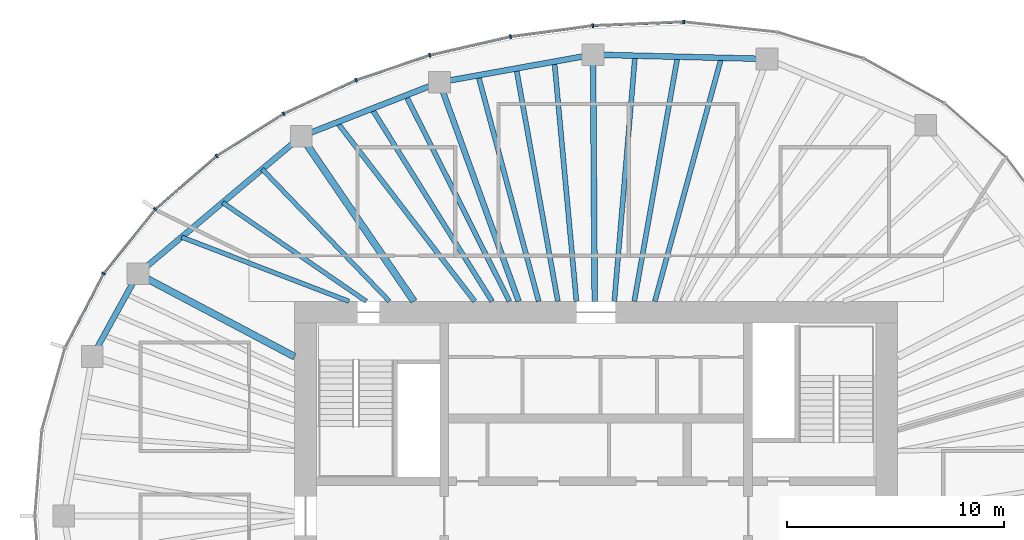
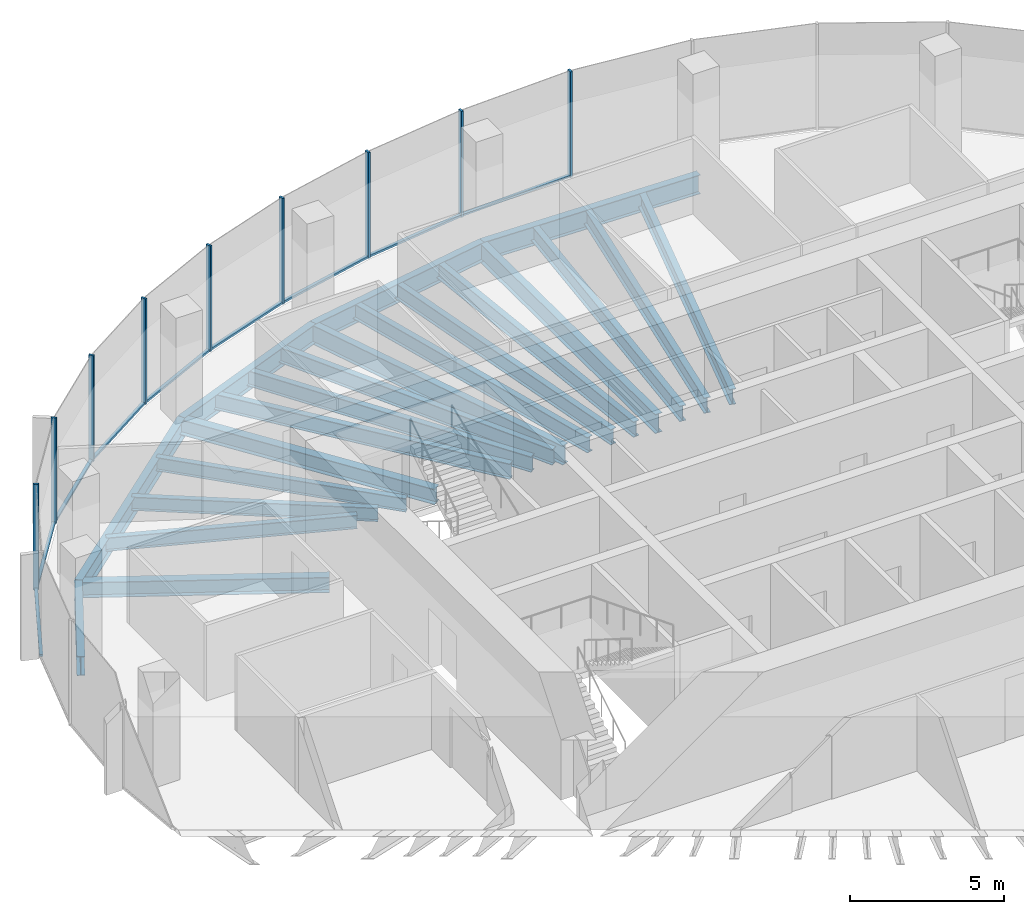
# One storey, part 5 of 11: 21 beams, 18 members, 5 elements without a shape of their own.
"""IFC4 building model written with IfcOpenShell, lengths in metres."""

from ifc_helpers import new_model, si_unit, direction, frame, origin, origin_2d, place, context, subcontext, project, spatial, rectangle, i_section, extrude, material, material_profile, profile_set, type_object, element, aggregate, save


model = new_model("IFC4")

# Units and contexts
model_context = context("Model", 3, precision=1e-05, world=origin(), true_north=direction((0.0, 1.0)))
body_context = subcontext(model_context, "Body", "Model", "MODEL_VIEW")
ifc_project = project(units=[si_unit("LENGTHUNIT", "METRE"), si_unit("AREAUNIT", "SQUARE_METRE"), si_unit("VOLUMEUNIT", "CUBIC_METRE"), si_unit("PLANEANGLEUNIT", "RADIAN"), si_unit("MASSUNIT", "GRAM", prefix="KILO")], contexts=[model_context])

# Site, building, storey
site_placement = place(None, origin())
site = spatial("IfcSite", under=ifc_project, at=site_placement, CompositionType="ELEMENT")
building_placement = place(site_placement, origin())
building = spatial("IfcBuilding", under=site, at=building_placement, Name="Ghaith Harvest Tower", CompositionType="ELEMENT")
storey_placement = place(building_placement, frame((0.0, 0.0, 309.0)))
storey = spatial("IfcBuildingStorey", under=building, at=storey_placement, Name="L69", CompositionType="ELEMENT", Elevation=309.0)

# Curtain wall, member
ifc_material_1 = material(Name="Black anodised aluminium and fritted glass", Category="aluminium")
curtain_wall_type = type_object("IfcCurtainWallType", Name="CW-T CURTAIN WALL", PredefinedType="NOTDEFINED", material=ifc_material_1)
curtain_wall_1_placement = place(storey_placement, origin())
curtain_wall_1 = element("IfcCurtainWall", 1, at=curtain_wall_1_placement, inside=storey, type_object=curtain_wall_type, Name="Curtain wall CW-T bay 05 L69", PredefinedType="NOTDEFINED")
ifc_material_2 = material(Name="Aluminium, black anodised", Category="aluminium")
ifc_material_profile_1 = material_profile(ifc_material_2, rectangle(XDim=0.080078125, YDim=0.179931640625, at=origin_2d()), Name="CW-T MULLION 80x180")
ifc_profile_set_1 = profile_set([ifc_material_profile_1], Name="Aluminium, black anodised")
member_type_1 = type_object("IfcMemberType", Name="CW-T MULLION 80x180", PredefinedType="MULLION", material=ifc_profile_set_1)
member_1_placement = place(storey_placement, frame((4.037841796875, 22.776611328125, 0.0), z_axis=(0.0, 0.0, 1.0), x_axis=(-0.999388631236, 0.034962319079, 0.0)))
member_1 = element("IfcMember", 2, at=member_1_placement, type_object=member_type_1, Name="CW-T mullion 2 bay 05 L69", PredefinedType="MULLION", context=body_context, shape_type="SweptSolid", body=[
    extrude(rectangle(XDim=0.080078125, YDim=0.179931640625, at=origin_2d()), origin(), (0.0, 0.0, 1.0), 4.199951171875),
])

# Curtain wall, members
curtain_wall_2_placement = place(storey_placement, origin())
curtain_wall_2 = element("IfcCurtainWall", 3, at=curtain_wall_2_placement, inside=storey, type_object=curtain_wall_type, Name="Curtain wall CW-T bay 06 L69", PredefinedType="NOTDEFINED")
member_2_placement = place(storey_placement, frame((-0.15478515625, 22.60595703125, 0.0), z_axis=(0.0, 0.0, 1.0), x_axis=(-0.996414855482, -0.084601629853, 0.0)))
member_2 = element("IfcMember", 4, at=member_2_placement, type_object=member_type_1, Name="CW-T mullion 1 bay 06 L69", PredefinedType="MULLION", context=body_context, shape_type="SweptSolid", body=[
    extrude(rectangle(XDim=0.080078125, YDim=0.179931640625, at=origin_2d()), origin(), (0.0, 0.0, 1.0), 4.199951171875),
])
member_3_placement = place(storey_placement, frame((-3.946533203125, 22.0986328125, 0.0), z_axis=(0.0, 0.0, 1.0), x_axis=(-0.983843447681, -0.179030920389, 0.0)))
member_3 = element("IfcMember", 5, at=member_3_placement, type_object=member_type_1, Name="CW-T mullion 2 bay 06 L69", PredefinedType="MULLION", context=body_context, shape_type="SweptSolid", body=[
    extrude(rectangle(XDim=0.080078125, YDim=0.179931640625, at=origin_2d()), origin(), (0.0, 0.0, 1.0), 4.199951171875),
])

curtain_wall_3_placement = place(storey_placement, origin())
curtain_wall_3 = element("IfcCurtainWall", 6, at=curtain_wall_3_placement, inside=storey, type_object=curtain_wall_type, Name="Curtain wall CW-T bay 07 L69", PredefinedType="NOTDEFINED")
member_4_placement = place(storey_placement, frame((-7.6708984375, 21.23828125, 0.0), z_axis=(0.0, 0.0, 1.0), x_axis=(-0.962552491436, -0.27109537294, 0.0)))
member_4 = element("IfcMember", 7, at=member_4_placement, type_object=member_type_1, Name="CW-T mullion 1 bay 07 L69", PredefinedType="MULLION", context=body_context, shape_type="SweptSolid", body=[
    extrude(rectangle(XDim=0.080078125, YDim=0.179931640625, at=origin_2d()), origin(), (0.0, 0.0, 1.0), 4.199951171875),
])
member_5_placement = place(storey_placement, frame((-11.0673828125, 20.093017578125, 0.0), z_axis=(0.0, 0.0, 1.0), x_axis=(-0.928624420706, -0.371021138573, 0.0)))
member_5 = element("IfcMember", 8, at=member_5_placement, type_object=member_type_1, Name="CW-T mullion 2 bay 07 L69", PredefinedType="MULLION", context=body_context, shape_type="SweptSolid", body=[
    extrude(rectangle(XDim=0.080078125, YDim=0.179931640625, at=origin_2d()), origin(), (0.0, 0.0, 1.0), 4.199951171875),
])

curtain_wall_4_placement = place(storey_placement, origin())
curtain_wall_4 = element("IfcCurtainWall", 9, at=curtain_wall_4_placement, inside=storey, type_object=curtain_wall_type, Name="Curtain wall CW-T bay 08 L69", PredefinedType="NOTDEFINED")
member_6_placement = place(storey_placement, frame((-14.40478515625, 18.5478515625, 0.0), z_axis=(0.0, 0.0, 1.0), x_axis=(-0.87867173244, -0.477426420101, 0.0)))
member_6 = element("IfcMember", 10, at=member_6_placement, type_object=member_type_1, Name="CW-T mullion 1 bay 08 L69", PredefinedType="MULLION", context=body_context, shape_type="SweptSolid", body=[
    extrude(rectangle(XDim=0.080078125, YDim=0.179931640625, at=origin_2d()), origin(), (0.0, 0.0, 1.0), 4.199951171875),
])
member_7_placement = place(storey_placement, frame((-17.49462890625, 16.600830078125, 0.0), z_axis=(0.0, 0.0, 1.0), x_axis=(-0.802189888678, -0.597068993084, 0.0)))
member_7 = element("IfcMember", 11, at=member_7_placement, type_object=member_type_1, Name="CW-T mullion 2 bay 08 L69", PredefinedType="MULLION", context=body_context, shape_type="SweptSolid", body=[
    extrude(rectangle(XDim=0.080078125, YDim=0.179931640625, at=origin_2d()), origin(), (0.0, 0.0, 1.0), 4.199951171875),
])

curtain_wall_5_placement = place(storey_placement, origin())
curtain_wall_5 = element("IfcCurtainWall", 12, at=curtain_wall_5_placement, inside=storey, type_object=curtain_wall_type, Name="Curtain wall CW-T bay 09 L69", PredefinedType="NOTDEFINED")
member_8_placement = place(storey_placement, frame((-20.324462890625, 14.141845703125, 0.0), z_axis=(0.0, 0.0, 1.0), x_axis=(-0.692826491995, -0.72110432809, 0.0)))
member_8 = element("IfcMember", 13, at=member_8_placement, type_object=member_type_1, Name="CW-T mullion 1 bay 09 L69", PredefinedType="MULLION", context=body_context, shape_type="SweptSolid", body=[
    extrude(rectangle(XDim=0.080078125, YDim=0.179931640625, at=origin_2d()), origin(), (0.0, 0.0, 1.0), 4.199951171875),
])
member_9_placement = place(storey_placement, frame((-22.706298828125, 11.176513671875, 0.0), z_axis=(0.0, 0.0, 1.0), x_axis=(-0.545865412621, -0.837872872997, 0.0)))
member_9 = element("IfcMember", 14, at=member_9_placement, type_object=member_type_1, Name="CW-T mullion 2 bay 09 L69", PredefinedType="MULLION", context=body_context, shape_type="SweptSolid", body=[
    extrude(rectangle(XDim=0.080078125, YDim=0.179931640625, at=origin_2d()), origin(), (0.0, 0.0, 1.0), 4.199951171875),
])

# Member
ifc_material_3 = material(Name="Aluminium, black anodised", Category="aluminium")
ifc_material_profile_2 = material_profile(ifc_material_3, rectangle(XDim=0.1201171875, YDim=0.080078125, at=origin_2d()), Name="CW-T TRANSOM 120x80")
ifc_profile_set_2 = profile_set([ifc_material_profile_2], Name="Aluminium, black anodised")
member_type_2 = type_object("IfcMemberType", Name="CW-T TRANSOM 120x80", PredefinedType="USERDEFINED", material=ifc_profile_set_2)
member_10_placement = place(storey_placement, frame((3.997802734375, 22.77490234375, 0.0400390625), z_axis=(-0.999174207562, -0.040631304968, 0.0), x_axis=(0.040631304968, -0.999174207562, 0.0)))
member_10 = element("IfcMember", 15, at=member_10_placement, type_object=member_type_2, Name="CW-T transom 2 bay 05 L69", ObjectType="TRANSOM", PredefinedType="USERDEFINED", context=body_context, shape_type="SweptSolid", body=[
    extrude(rectangle(XDim=0.1201171875, YDim=0.080078125, at=origin_2d()), origin(), (0.0, 0.0, 1.0), 4.115966796875),
])

aggregate(curtain_wall_1, [member_1, member_10])

member_11_placement = place(storey_placement, frame((-0.1943359375, 22.6005859375, 0.0400390625), z_axis=(-0.99117202259, -0.132582131655, 0.0), x_axis=(0.132582131655, -0.99117202259, 0.0)))
member_11 = element("IfcMember", 16, at=member_11_placement, type_object=member_type_2, Name="CW-T transom 1 bay 06 L69", ObjectType="TRANSOM", PredefinedType="USERDEFINED", context=body_context, shape_type="SweptSolid", body=[
    extrude(rectangle(XDim=0.1201171875, YDim=0.080078125, at=origin_2d()), origin(), (0.0, 0.0, 1.0), 3.745361328125),
])

member_12_placement = place(storey_placement, frame((-3.9853515625, 22.089599609375, 0.0400390625), z_axis=(-0.974344997799, -0.225059603803, 0.0), x_axis=(0.225059603803, -0.974344997799, 0.0)))
member_12 = element("IfcMember", 17, at=member_12_placement, type_object=member_type_2, Name="CW-T transom 2 bay 06 L69", ObjectType="TRANSOM", PredefinedType="USERDEFINED", context=body_context, shape_type="SweptSolid", body=[
    extrude(rectangle(XDim=0.1201171875, YDim=0.080078125, at=origin_2d()), origin(), (0.0, 0.0, 1.0), 3.742431640625),
])

aggregate(curtain_wall_2, [member_2, member_11, member_3, member_12])

member_13_placement = place(storey_placement, frame((-7.708740234375, 21.2255859375, 0.0400390625), z_axis=(-0.9475698206, -0.319548799228, 0.0), x_axis=(0.319548799228, -0.9475698206, 0.0)))
member_13 = element("IfcMember", 18, at=member_13_placement, type_object=member_type_2, Name="CW-T transom 1 bay 07 L69", ObjectType="TRANSOM", PredefinedType="USERDEFINED", context=body_context, shape_type="SweptSolid", body=[
    extrude(rectangle(XDim=0.1201171875, YDim=0.080078125, at=origin_2d()), origin(), (0.0, 0.0, 1.0), 3.504638671875),
])

member_14_placement = place(storey_placement, frame((-11.103759765625, 20.076171875, 0.0400390625), z_axis=(-0.907472177056, -0.420112184862, 0.0), x_axis=(0.420112184862, -0.907472177056, 0.0)))
member_14 = element("IfcMember", 19, at=member_14_placement, type_object=member_type_2, Name="CW-T transom 2 bay 07 L69", ObjectType="TRANSOM", PredefinedType="USERDEFINED", context=body_context, shape_type="SweptSolid", body=[
    extrude(rectangle(XDim=0.1201171875, YDim=0.080078125, at=origin_2d()), origin(), (0.0, 0.0, 1.0), 3.597900390625),
])

aggregate(curtain_wall_3, [member_4, member_13, member_5, member_14])

member_15_placement = place(storey_placement, frame((-14.438720703125, 18.5263671875, 0.0400390625), z_axis=(-0.846053602505, -0.533097835006, 0.0), x_axis=(0.533097835006, -0.846053602505, 0.0)))
member_15 = element("IfcMember", 20, at=member_15_placement, type_object=member_type_2, Name="CW-T transom 1 bay 08 L69", ObjectType="TRANSOM", PredefinedType="USERDEFINED", context=body_context, shape_type="SweptSolid", body=[
    extrude(rectangle(XDim=0.1201171875, YDim=0.080078125, at=origin_2d()), origin(), (0.0, 0.0, 1.0), 3.572021484375),
])

member_16_placement = place(storey_placement, frame((-17.52490234375, 16.574462890625, 0.0400390625), z_axis=(-0.754851889287, -0.65589528527, 0.0), x_axis=(0.65589528527, -0.754851889287, 0.0)))
member_16 = element("IfcMember", 21, at=member_16_placement, type_object=member_type_2, Name="CW-T transom 2 bay 08 L69", ObjectType="TRANSOM", PredefinedType="USERDEFINED", context=body_context, shape_type="SweptSolid", body=[
    extrude(rectangle(XDim=0.1201171875, YDim=0.080078125, at=origin_2d()), origin(), (0.0, 0.0, 1.0), 3.668701171875),
])

aggregate(curtain_wall_4, [member_6, member_15, member_7, member_16])

member_17_placement = place(storey_placement, frame((-20.349365234375, 14.110595703125, 0.0400390625), z_axis=(-0.626253073761, -0.779619835307, 0.0), x_axis=(0.779619835307, -0.626253073761, 0.0)))
member_17 = element("IfcMember", 22, at=member_17_placement, type_object=member_type_2, Name="CW-T transom 1 bay 09 L69", ObjectType="TRANSOM", PredefinedType="USERDEFINED", context=body_context, shape_type="SweptSolid", body=[
    extrude(rectangle(XDim=0.1201171875, YDim=0.080078125, at=origin_2d()), origin(), (0.0, 0.0, 1.0), 3.723388671875),
])

member_18_placement = place(storey_placement, frame((-22.724609375, 11.14111328125, 0.0400390625), z_axis=(-0.461242681347, -0.887274021317, 0.0), x_axis=(0.887274021317, -0.461242681347, 0.0)))
member_18 = element("IfcMember", 23, at=member_18_placement, type_object=member_type_2, Name="CW-T transom 2 bay 09 L69", ObjectType="TRANSOM", PredefinedType="USERDEFINED", context=body_context, shape_type="SweptSolid", body=[
    extrude(rectangle(XDim=0.1201171875, YDim=0.080078125, at=origin_2d()), origin(), (0.0, 0.0, 1.0), 3.77197265625),
])

aggregate(curtain_wall_5, [member_8, member_17, member_9, member_18])

# Beams
ifc_material_4 = material(Name="Steel ASTM A992 Grade 50", Category="steel")
ifc_material_profile_3 = material_profile(ifc_material_4, i_section(OverallWidth=0.26611328125, OverallDepth=0.758056640625, WebThickness=0.013916015625, FlangeThickness=0.019287109375, at=origin_2d()), Name="W760X161")
ifc_profile_set_3 = profile_set([ifc_material_profile_3], Name="Steel ASTM A992 Grade 50")
beam_type_1 = type_object("IfcBeamType", Name="E760-161 W760X161", PredefinedType="SPANDREL", material=ifc_profile_set_3)
beam_1_placement = place(storey_placement, frame((7.8779296875, 21.072021484375, -0.549072265625), z_axis=(-0.999692679676, 0.024790042413, 0.0), x_axis=(-0.024790042413, -0.999692679676, 0.0)))
element("IfcBeam", 24, at=beam_1_placement, inside=storey, type_object=beam_type_1, Name="Edge beam E05 L69", PredefinedType="SPANDREL", context=body_context, shape_type="SweptSolid", body=[
    extrude(i_section(OverallWidth=0.26611328125, OverallDepth=0.758056640625, WebThickness=0.013916015625, FlangeThickness=0.019287109375, at=origin_2d()), origin(), (0.0, 0.0, 1.0), 8.0263671875),
])
beam_2_placement = place(storey_placement, frame((-0.14599609375, 21.27099609375, -0.549072265625), z_axis=(-0.984177047684, -0.177187863051, 0.0), x_axis=(0.177187863051, -0.984177047684, 0.0)))
element("IfcBeam", 25, at=beam_2_placement, inside=storey, type_object=beam_type_1, Name="Edge beam E06 L69", PredefinedType="SPANDREL", context=body_context, shape_type="SweptSolid", body=[
    extrude(i_section(OverallWidth=0.26611328125, OverallDepth=0.758056640625, WebThickness=0.013916015625, FlangeThickness=0.019287109375, at=origin_2d()), origin(), (0.0, 0.0, 1.0), 7.189697265625),
])
beam_3_placement = place(storey_placement, frame((-7.221923828125, 19.9970703125, -0.549072265625), z_axis=(-0.931322768207, -0.364194867371, 0.0), x_axis=(0.364194867371, -0.931322768207, 0.0)))
element("IfcBeam", 26, at=beam_3_placement, inside=storey, type_object=beam_type_1, Name="Edge beam E07 L69", PredefinedType="SPANDREL", context=body_context, shape_type="SweptSolid", body=[
    extrude(i_section(OverallWidth=0.26611328125, OverallDepth=0.758056640625, WebThickness=0.013916015625, FlangeThickness=0.019287109375, at=origin_2d()), origin(), (0.0, 0.0, 1.0), 6.843017578125),
])
beam_4_placement = place(storey_placement, frame((-13.594970703125, 17.5048828125, -0.549072265625), z_axis=(-0.765021818761, -0.64400436087, 0.0), x_axis=(0.64400436087, -0.765021818761, 0.0)))
element("IfcBeam", 27, at=beam_4_placement, inside=storey, type_object=beam_type_1, Name="Edge beam E08 L69", PredefinedType="SPANDREL", context=body_context, shape_type="SweptSolid", body=[
    extrude(i_section(OverallWidth=0.26611328125, OverallDepth=0.758056640625, WebThickness=0.013916015625, FlangeThickness=0.019287109375, at=origin_2d()), origin(), (0.0, 0.0, 1.0), 9.8427734375),
])
beam_5_placement = place(storey_placement, frame((-21.125, 11.166015625, -0.549072265625), z_axis=(-0.482955575345, -0.875644855089, 0.0), x_axis=(0.875644855089, -0.482955575345, 0.0)))
element("IfcBeam", 28, at=beam_5_placement, inside=storey, type_object=beam_type_1, Name="Edge beam E09 L69", PredefinedType="SPANDREL", context=body_context, shape_type="SweptSolid", body=[
    extrude(i_section(OverallWidth=0.26611328125, OverallDepth=0.758056640625, WebThickness=0.013916015625, FlangeThickness=0.019287109375, at=origin_2d()), origin(), (0.0, 0.0, 1.0), 4.346435546875),
])
ifc_material_5 = material(Name="Steel ASTM A992 Grade 50", Category="steel")
ifc_material_profile_4 = material_profile(ifc_material_5, i_section(OverallWidth=0.323974609375, OverallDepth=0.611083984375, WebThickness=0.0126953125, FlangeThickness=0.01904296875, at=origin_2d()), Name="W610X155")
ifc_profile_set_4 = profile_set([ifc_material_profile_4], Name="Steel ASTM A992 Grade 50")
beam_type_2 = type_object("IfcBeamType", Name="G610-155 W610X155", PredefinedType="BEAM", material=ifc_profile_set_4)
beam_6_placement = place(storey_placement, frame((-8.39990234375, 9.89990234375, -0.4755859375), z_axis=(-0.564067018201, 0.825729010619, 0.0), x_axis=(-0.825729010619, -0.564067018201, 0.0)))
element("IfcBeam", 29, at=beam_6_placement, inside=storey, type_object=beam_type_2, Name="Radial girder G08 L69", PredefinedType="BEAM", context=body_context, shape_type="SweptSolid", body=[
    extrude(i_section(OverallWidth=0.323974609375, OverallDepth=0.611083984375, WebThickness=0.0126953125, FlangeThickness=0.01904296875, at=origin_2d()), origin(), (0.0, 0.0, 1.0), 9.2099609375),
])
beam_7_placement = place(storey_placement, frame((-13.89990234375, 7.34716796875, -0.4755859375), z_axis=(-0.88410164037, 0.467294649546, 0.0), x_axis=(-0.467294649546, -0.88410164037, 0.0)))
element("IfcBeam", 30, at=beam_7_placement, inside=storey, type_object=beam_type_2, Name="Radial girder G09 L69", PredefinedType="BEAM", context=body_context, shape_type="SweptSolid", body=[
    extrude(i_section(OverallWidth=0.323974609375, OverallDepth=0.611083984375, WebThickness=0.0126953125, FlangeThickness=0.01904296875, at=origin_2d()), origin(), (0.0, 0.0, 1.0), 8.17236328125),
])
ifc_material_6 = material(Name="Steel ASTM A992 Grade 50", Category="steel")
ifc_material_profile_5 = material_profile(ifc_material_6, i_section(OverallWidth=0.26611328125, OverallDepth=0.758056640625, WebThickness=0.013916015625, FlangeThickness=0.019287109375, at=origin_2d()), Name="W760X161")
ifc_profile_set_5 = profile_set([ifc_material_profile_5], Name="Steel ASTM A992 Grade 50")
beam_type_3 = type_object("IfcBeamType", Name="G760-161 W760X161", PredefinedType="BEAM", material=ifc_profile_set_5)
beam_8_placement = place(storey_placement, frame((-0.06787109375, 9.89990234375, -0.549072265625), z_axis=(-0.00687032909, 0.999976399011, 0.0), x_axis=(-0.999976399011, -0.00687032909, 0.0)))
element("IfcBeam", 31, at=beam_8_placement, inside=storey, type_object=beam_type_3, Name="Radial girder G06 L69", PredefinedType="BEAM", context=body_context, shape_type="SweptSolid", body=[
    extrude(i_section(OverallWidth=0.26611328125, OverallDepth=0.758056640625, WebThickness=0.013916015625, FlangeThickness=0.019287109375, at=origin_2d()), origin(), (0.0, 0.0, 1.0), 11.371337890625),
])
beam_9_placement = place(storey_placement, frame((-3.57568359375, 9.89990234375, -0.549072265625), z_axis=(-0.339647816823, 0.940552688863, 0.0), x_axis=(-0.940552688863, -0.339647816823, 0.0)))
element("IfcBeam", 32, at=beam_9_placement, inside=storey, type_object=beam_type_3, Name="Radial girder G07 L69", PredefinedType="BEAM", context=body_context, shape_type="SweptSolid", body=[
    extrude(i_section(OverallWidth=0.26611328125, OverallDepth=0.758056640625, WebThickness=0.013916015625, FlangeThickness=0.019287109375, at=origin_2d()), origin(), (0.0, 0.0, 1.0), 10.7353515625),
])
ifc_material_7 = material(Name="Steel ASTM A992 Grade 50", Category="steel")
ifc_material_profile_6 = material_profile(ifc_material_7, i_section(OverallWidth=0.2109375, OverallDepth=0.5390625, WebThickness=0.01171875, FlangeThickness=0.018798828125, at=origin_2d()), Name="W530X109")
ifc_profile_set_6 = profile_set([ifc_material_profile_6], Name="Steel ASTM A992 Grade 50")
beam_type_4 = type_object("IfcBeamType", Name="J530-109 W530X109", PredefinedType="JOIST", material=ifc_profile_set_6)
beam_10_placement = place(storey_placement, frame((-9.530517578125, 9.89990234375, -0.439453125), z_axis=(-0.693536238632, 0.720421741554, 0.0), x_axis=(-0.720421741554, -0.693536238632, 0.0)))
element("IfcBeam", 33, at=beam_10_placement, inside=storey, type_object=beam_type_4, Name="Joist J08.1 L69", PredefinedType="JOIST", context=body_context, shape_type="SweptSolid", body=[
    extrude(i_section(OverallWidth=0.2109375, OverallDepth=0.5390625, WebThickness=0.01171875, FlangeThickness=0.018798828125, at=origin_2d()), origin(), (0.0, 0.0, 1.0), 8.4541015625),
])
beam_11_placement = place(storey_placement, frame((-10.60009765625, 9.89990234375, -0.439453125), z_axis=(-0.823778502511, 0.566911791023, 0.0), x_axis=(-0.566911791023, -0.823778502511, 0.0)))
element("IfcBeam", 34, at=beam_11_placement, inside=storey, type_object=beam_type_4, Name="Joist J08.2 L69", PredefinedType="JOIST", context=body_context, shape_type="SweptSolid", body=[
    extrude(i_section(OverallWidth=0.2109375, OverallDepth=0.5390625, WebThickness=0.01171875, FlangeThickness=0.018798828125, at=origin_2d()), origin(), (0.0, 0.0, 1.0), 8.0341796875),
])
beam_12_placement = place(storey_placement, frame((-11.39990234375, 9.89990234375, -0.439453125), z_axis=(-0.933583045329, 0.358361127181, 0.0), x_axis=(-0.358361127181, -0.933583045329, 0.0)))
element("IfcBeam", 35, at=beam_12_placement, inside=storey, type_object=beam_type_4, Name="Joist J08.3 L69", PredefinedType="JOIST", context=body_context, shape_type="SweptSolid", body=[
    extrude(i_section(OverallWidth=0.2109375, OverallDepth=0.5390625, WebThickness=0.01171875, FlangeThickness=0.018798828125, at=origin_2d()), origin(), (0.0, 0.0, 1.0), 8.260986328125),
])
ifc_material_8 = material(Name="Steel ASTM A992 Grade 50", Category="steel")
ifc_material_profile_7 = material_profile(ifc_material_8, i_section(OverallWidth=0.22998046875, OverallDepth=0.616943359375, WebThickness=0.01318359375, FlangeThickness=0.022216796875, at=origin_2d()), Name="W610X140")
ifc_profile_set_7 = profile_set([ifc_material_profile_7], Name="Steel ASTM A992 Grade 50")
beam_type_5 = type_object("IfcBeamType", Name="J610-140 W610X140", PredefinedType="JOIST", material=ifc_profile_set_7)
beam_13_placement = place(storey_placement, frame((2.70361328125, 9.89990234375, -0.478515625), z_axis=(0.263456499314, 0.964671277156, 0.0), x_axis=(-0.964671277156, 0.263456499314, 0.0)))
element("IfcBeam", 36, at=beam_13_placement, inside=storey, type_object=beam_type_5, Name="Joist J05.1 L69", PredefinedType="JOIST", context=body_context, shape_type="SweptSolid", body=[
    extrude(i_section(OverallWidth=0.22998046875, OverallDepth=0.616943359375, WebThickness=0.01318359375, FlangeThickness=0.022216796875, at=origin_2d()), origin(), (0.0, 0.0, 1.0), 11.635498046875),
])
beam_14_placement = place(storey_placement, frame((1.7548828125, 9.89990234375, -0.478515625), z_axis=(0.174562528022, 0.984646090639, 0.0), x_axis=(-0.984646090639, 0.174562528022, 0.0)))
element("IfcBeam", 37, at=beam_14_placement, inside=storey, type_object=beam_type_5, Name="Joist J05.2 L69", PredefinedType="JOIST", context=body_context, shape_type="SweptSolid", body=[
    extrude(i_section(OverallWidth=0.22998046875, OverallDepth=0.616943359375, WebThickness=0.01318359375, FlangeThickness=0.022216796875, at=origin_2d()), origin(), (0.0, 0.0, 1.0), 11.4501953125),
])
beam_15_placement = place(storey_placement, frame((0.836669921875, 9.89990234375, -0.478515625), z_axis=(0.084199386432, 0.996448926601, 0.0), x_axis=(-0.996448926601, 0.084199386432, 0.0)))
element("IfcBeam", 38, at=beam_15_placement, inside=storey, type_object=beam_type_5, Name="Joist J05.3 L69", PredefinedType="JOIST", context=body_context, shape_type="SweptSolid", body=[
    extrude(i_section(OverallWidth=0.22998046875, OverallDepth=0.616943359375, WebThickness=0.01318359375, FlangeThickness=0.022216796875, at=origin_2d()), origin(), (0.0, 0.0, 1.0), 11.36328125),
])
beam_16_placement = place(storey_placement, frame((-0.9111328125, 9.89990234375, -0.478515625), z_axis=(-0.091654473201, 0.995790870385, 0.0), x_axis=(-0.995790870385, -0.091654473201, 0.0)))
element("IfcBeam", 39, at=beam_16_placement, inside=storey, type_object=beam_type_5, Name="Joist J06.1 L69", PredefinedType="JOIST", context=body_context, shape_type="SweptSolid", body=[
    extrude(i_section(OverallWidth=0.22998046875, OverallDepth=0.616943359375, WebThickness=0.01318359375, FlangeThickness=0.022216796875, at=origin_2d()), origin(), (0.0, 0.0, 1.0), 11.096923828125),
])
beam_17_placement = place(storey_placement, frame((-1.76806640625, 9.89990234375, -0.478515625), z_axis=(-0.175789088574, 0.984427852277, 0.0), x_axis=(-0.984427852277, -0.175789088574, 0.0)))
element("IfcBeam", 40, at=beam_17_placement, inside=storey, type_object=beam_type_5, Name="Joist J06.2 L69", PredefinedType="JOIST", context=body_context, shape_type="SweptSolid", body=[
    extrude(i_section(OverallWidth=0.22998046875, OverallDepth=0.616943359375, WebThickness=0.01318359375, FlangeThickness=0.022216796875, at=origin_2d()), origin(), (0.0, 0.0, 1.0), 10.903564453125),
])
beam_18_placement = place(storey_placement, frame((-2.651123046875, 9.89990234375, -0.478515625), z_axis=(-0.258678376387, 0.96596350738, 0.0), x_axis=(-0.96596350738, -0.258678376387, 0.0)))
element("IfcBeam", 41, at=beam_18_placement, inside=storey, type_object=beam_type_5, Name="Joist J06.3 L69", PredefinedType="JOIST", context=body_context, shape_type="SweptSolid", body=[
    extrude(i_section(OverallWidth=0.22998046875, OverallDepth=0.616943359375, WebThickness=0.01318359375, FlangeThickness=0.022216796875, at=origin_2d()), origin(), (0.0, 0.0, 1.0), 10.784912109375),
])
beam_19_placement = place(storey_placement, frame((-4.0, 9.89990234375, -0.478515625), z_axis=(-0.449556131123, 0.893252083664, 0.0), x_axis=(-0.893252083664, -0.449556131123, 0.0)))
element("IfcBeam", 42, at=beam_19_placement, inside=storey, type_object=beam_type_5, Name="Joist J07.1 L69", PredefinedType="JOIST", context=body_context, shape_type="SweptSolid", body=[
    extrude(i_section(OverallWidth=0.22998046875, OverallDepth=0.616943359375, WebThickness=0.01318359375, FlangeThickness=0.022216796875, at=origin_2d()), origin(), (0.0, 0.0, 1.0), 10.62353515625),
])
beam_20_placement = place(storey_placement, frame((-4.800048828125, 9.89990234375, -0.478515625), z_axis=(-0.529596254905, 0.848249849273, 0.0), x_axis=(-0.848249849273, -0.529596254905, 0.0)))
element("IfcBeam", 43, at=beam_20_placement, inside=storey, type_object=beam_type_5, Name="Joist J07.2 L69", PredefinedType="JOIST", context=body_context, shape_type="SweptSolid", body=[
    extrude(i_section(OverallWidth=0.22998046875, OverallDepth=0.616943359375, WebThickness=0.01318359375, FlangeThickness=0.022216796875, at=origin_2d()), origin(), (0.0, 0.0, 1.0), 10.465087890625),
])
beam_21_placement = place(storey_placement, frame((-5.60009765625, 9.89990234375, -0.478515625), z_axis=(-0.609353577926, 0.792898617144, 0.0), x_axis=(-0.792898617144, -0.609353577926, 0.0)))
element("IfcBeam", 44, at=beam_21_placement, inside=storey, type_object=beam_type_5, Name="Joist J07.3 L69", PredefinedType="JOIST", context=body_context, shape_type="SweptSolid", body=[
    extrude(i_section(OverallWidth=0.22998046875, OverallDepth=0.616943359375, WebThickness=0.01318359375, FlangeThickness=0.022216796875, at=origin_2d()), origin(), (0.0, 0.0, 1.0), 10.406982421875),
])

save(model, "model.ifc")
